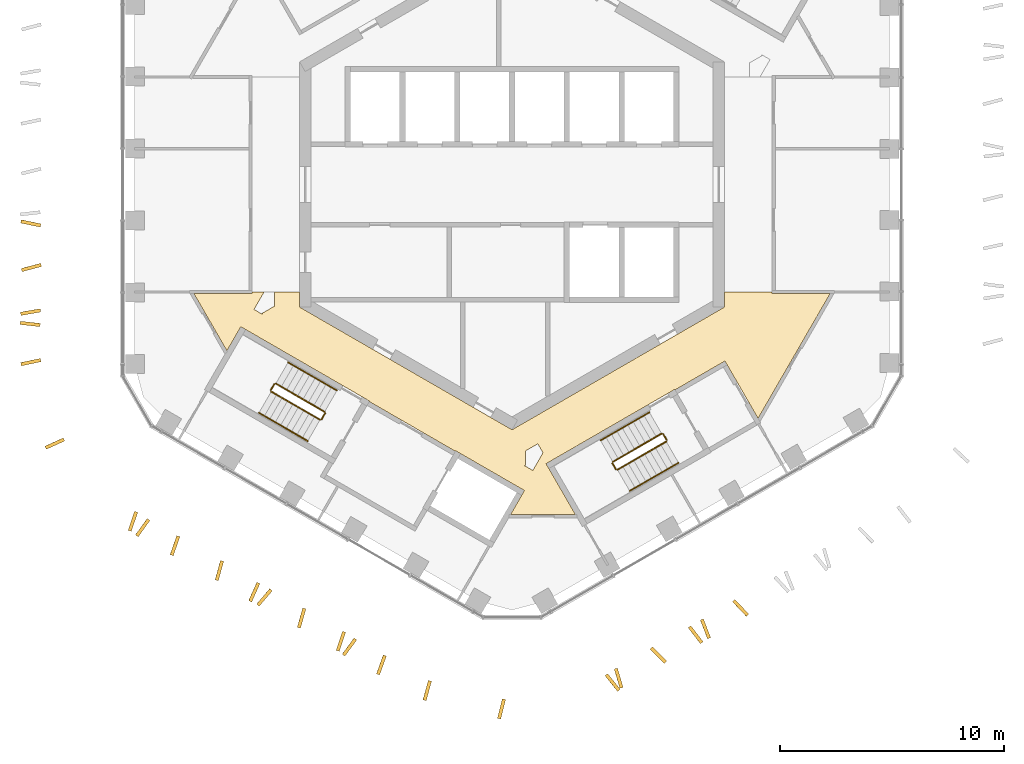
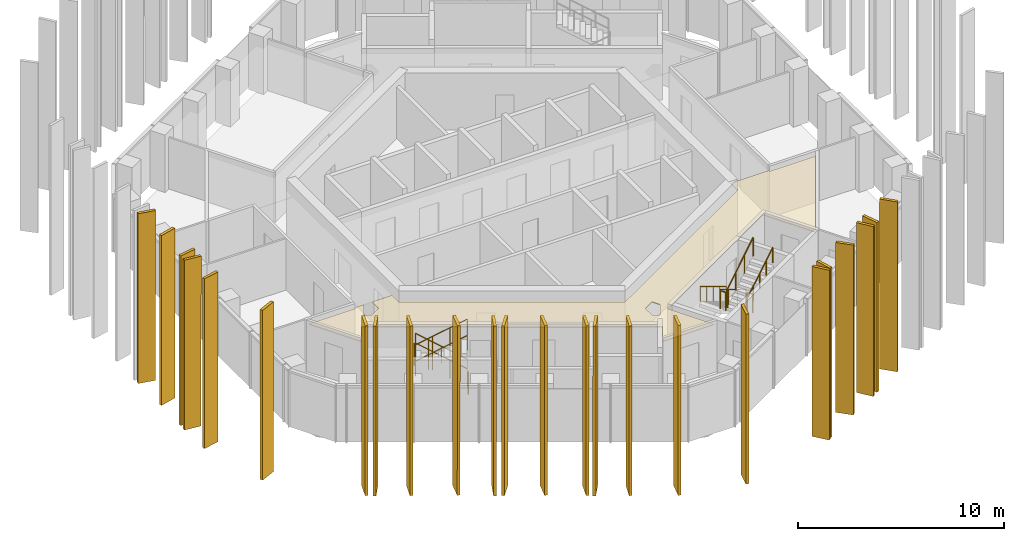
# One storey, part 16 of 18: 24 shading devices, 16 railings, 1 covering.
"""IFC4 building model written with IfcOpenShell, lengths in metres."""

from ifc_helpers import new_model, si_unit, direction, frame, origin, origin_2d, place, context, subcontext, project, spatial, polyline, circle, outline, extrude, material, layer, layer_set, type_object, element, save


model = new_model("IFC4")

# Units and contexts
model_context = context("Model", 3, precision=1e-05, world=origin(), true_north=direction((0.0, 1.0)))
body_context = subcontext(model_context, "Body", "Model", "MODEL_VIEW")
ifc_project = project(units=[si_unit("LENGTHUNIT", "METRE"), si_unit("AREAUNIT", "SQUARE_METRE"), si_unit("VOLUMEUNIT", "CUBIC_METRE"), si_unit("PLANEANGLEUNIT", "RADIAN"), si_unit("MASSUNIT", "GRAM", prefix="KILO")], contexts=[model_context])

# Site, building, storey
site_placement = place(None, origin())
site = spatial("IfcSite", under=ifc_project, at=site_placement, CompositionType="ELEMENT")
building_placement = place(site_placement, origin())
building = spatial("IfcBuilding", under=site, at=building_placement, Name="Ayvan Gate Tower", CompositionType="ELEMENT")
storey_placement = place(building_placement, frame((0.0, 0.0, 218.89990234375)))
storey = spatial("IfcBuildingStorey", under=building, at=storey_placement, Name="L58", CompositionType="ELEMENT", Elevation=218.89990234375)

# Shading devices
ifc_material_1 = material(Name="Bronze anodised aluminium", Category="aluminium")
ifc_layer_1 = layer(ifc_material_1, 0.14990234375)
ifc_layer_set_1 = layer_set([ifc_layer_1], Name="Bronze anodised aluminium")
shading_device_type = type_object("IfcShadingDeviceType", Name="Bronze fin 900 x 150", PredefinedType="USERDEFINED", material=ifc_layer_set_1)
shading_device_1_placement = place(storey_placement, frame((-21.06494140625, -1.7607421875, 0.0), z_axis=(0.205627653576, 0.9786302906, 0.000149685701), x_axis=(-0.978630301563, 0.205627655879, 4.174e-09)))
element("IfcShadingDevice", 1, at=shading_device_1_placement, inside=storey, type_object=shading_device_type, Name="Bronze fin FG22.3.26", ObjectType="FIN", PredefinedType="USERDEFINED", context=body_context, shape_type="SweptSolid", body=[
    extrude(outline(polyline([(0.0, 0.0), (0.900088840624111, 6.776263578034403e-21), (0.9000265937285844, 10.08007823416915), (0.00017667651794090947, 10.080078241682683), (0.0, 0.0)])), origin(), (0.0, 0.0, -1.0), 0.14990234375),
])
shading_device_2_placement = place(storey_placement, frame((-21.081787109375, -3.524658203125, 0.0), z_axis=(-0.255534650203, 0.966799886755, 0.000146685089), x_axis=(-0.966799897156, -0.255534652952, 0.0)))
element("IfcShadingDevice", 2, at=shading_device_2_placement, inside=storey, type_object=shading_device_type, Name="Bronze fin FG22.3.27", ObjectType="FIN", PredefinedType="USERDEFINED", context=body_context, shape_type="SweptSolid", body=[
    extrude(outline(polyline([(0.0, 0.0), (0.8999971866563695, 6.776263578034403e-21), (0.9001354698645131, 10.080078233444082), (0.00013828320814355377, 10.080078233444082), (0.0, 0.0)])), origin(), (0.0, 0.0, -1.0), 0.14990234375),
])
shading_device_3_placement = place(storey_placement, frame((-21.1025390625, -5.553955078125, 0.0), z_axis=(-0.174992422463, 0.984569769177, 0.000147316679), x_axis=(-0.984569779861, -0.174992424362, 0.0)))
element("IfcShadingDevice", 3, at=shading_device_3_placement, inside=storey, type_object=shading_device_type, Name="Bronze fin FG22.3.29", ObjectType="FIN", PredefinedType="USERDEFINED", context=body_context, shape_type="SweptSolid", body=[
    extrude(outline(polyline([(0.0, 0.0), (0.8998715441478867, -3.3881317890172014e-21), (0.8998875072255997, 10.08007823437996), (1.596307771291016e-05, 10.08007823437996), (0.0, 0.0)])), origin(), (0.0, 0.0, -1.0), 0.14990234375),
])
shading_device_4_placement = place(storey_placement, frame((-21.094970703125, -6.212646484375, 0.0), z_axis=(0.111220487315, 0.993795744584, 0.000145765954), x_axis=(-0.993795755142, 0.111220488497, -2.199e-09)))
element("IfcShadingDevice", 4, at=shading_device_4_placement, inside=storey, type_object=shading_device_type, Name="Bronze fin FG22.3.30", ObjectType="FIN", PredefinedType="USERDEFINED", context=body_context, shape_type="SweptSolid", body=[
    extrude(outline(polyline([(0.0, 0.0), (0.8998716434007181, 0.0), (0.8999513265116572, 10.080078234068507), (-0.0001629428058435697, 10.080078230109926), (0.0, 0.0)])), origin(), (0.0, 0.0, -1.0), 0.14990234375),
])
shading_device_5_placement = place(storey_placement, frame((-21.095703125, -7.77880859375, 0.0), z_axis=(-0.206174540544, 0.978515220713, 0.000147192062), x_axis=(-0.978515231313, -0.206174542777, 0.0)))
element("IfcShadingDevice", 5, at=shading_device_5_placement, inside=storey, type_object=shading_device_type, Name="Bronze fin FG22.3.31", ObjectType="FIN", PredefinedType="USERDEFINED", context=body_context, shape_type="SweptSolid", body=[
    extrude(outline(polyline([(0.0, 0.0), (0.8999504618786536, -3.3881317890172014e-21), (0.9000135800489053, 10.080078234194984), (6.311817025169371e-05, 10.080078234194984), (0.0, 0.0)])), origin(), (0.0, 0.0, -1.0), 0.14990234375),
])
shading_device_6_placement = place(storey_placement, frame((-20.068603515625, -11.332763671875, 0.0), z_axis=(-0.413700742682, 0.910412913076, 0.000152341575), x_axis=(-0.910412923641, -0.413700747483, 0.0)))
element("IfcShadingDevice", 6, at=shading_device_6_placement, inside=storey, type_object=shading_device_type, Name="Bronze fin FG22.4.32", ObjectType="FIN", PredefinedType="USERDEFINED", context=body_context, shape_type="SweptSolid", body=[
    extrude(outline(polyline([(0.0, 0.0), (0.8999607938598058, -6.776263578034403e-21), (0.9001222632537548, 10.080078241969005), (0.0001614693939489985, 10.080078241969005), (0.0, 0.0)])), origin(), (0.0, 0.0, -1.0), 0.14990234375),
])
shading_device_7_placement = place(storey_placement, frame((-16.883056640625, -14.614013671875, 0.0), z_axis=(-0.947879951133, 0.318627648141, 0.000141702069), x_axis=(-0.318627651338, -0.947879960651, 1.822e-08)))
element("IfcShadingDevice", 7, at=shading_device_7_placement, inside=storey, type_object=shading_device_type, Name="Bronze fin FG22.5.33", ObjectType="FIN", PredefinedType="USERDEFINED", context=body_context, shape_type="SweptSolid", body=[
    extrude(outline(polyline([(0.0, 0.0), (0.899892930953058, -6.776263578034403e-21), (0.8999669968545759, 10.080078209803935), (-3.7240524220633247e-06, 10.08007824259748), (0.0, 0.0)])), origin(), (0.0, 0.0, -1.0), 0.14990234375),
])
shading_device_8_placement = place(storey_placement, frame((-16.318115234375, -14.940185546875, 0.0), z_axis=(-0.812135863016, 0.583468350484, 0.000154876785), x_axis=(-0.583468357481, -0.812135872757, 0.0)))
element("IfcShadingDevice", 8, at=shading_device_8_placement, inside=storey, type_object=shading_device_type, Name="Bronze fin FG22.5.34", ObjectType="FIN", PredefinedType="USERDEFINED", context=body_context, shape_type="SweptSolid", body=[
    extrude(outline(polyline([(0.0, 0.0), (0.9000427831971298, 1.3552527156068805e-20), (0.9001236429880525, 10.080078245894505), (8.085979092264111e-05, 10.080078245894505), (0.0, 0.0)])), origin(), (0.0, 0.0, -1.0), 0.14990234375),
])
shading_device_9_placement = place(storey_placement, frame((-14.99658203125, -15.706298828125, 0.0), z_axis=(-0.943913320828, 0.330193305964, 0.000153164758), x_axis=(-0.330193309837, -0.9439133319, 0.0)))
element("IfcShadingDevice", 9, at=shading_device_9_placement, inside=storey, type_object=shading_device_type, Name="Bronze fin FG22.5.35", ObjectType="FIN", PredefinedType="USERDEFINED", context=body_context, shape_type="SweptSolid", body=[
    extrude(outline(polyline([(0.0, 0.0), (0.8998339208379718, -6.776263578034403e-21), (0.8998111344133572, 10.080078243236514), (-2.2786424614488815e-05, 10.080078243236514), (0.0, 0.0)])), origin(), (0.0, 0.0, -1.0), 0.14990234375),
])
shading_device_10_placement = place(storey_placement, frame((-13.041748046875, -16.814697265625, 0.0), z_axis=(-0.964239184739, 0.265033530311, 0.000149752601), x_axis=(-0.265033533283, -0.96423919555, -5.384e-09)))
element("IfcShadingDevice", 10, at=shading_device_10_placement, inside=storey, type_object=shading_device_type, Name="Bronze fin FG22.5.37", ObjectType="FIN", PredefinedType="USERDEFINED", context=body_context, shape_type="SweptSolid", body=[
    extrude(outline(polyline([(0.0, 0.0), (0.8998642243660473, 0.0), (0.8999467572994366, 10.08007824287247), (-0.00015287702646184147, 10.080078233181393), (0.0, 0.0)])), origin(), (0.0, 0.0, -1.0), 0.14990234375),
])
shading_device_11_placement = place(storey_placement, frame((-11.411865234375, -17.789794921875, 0.0), z_axis=(-0.9120128372, 0.410161632911, 0.00014024775), x_axis=(-0.410161636945, -0.91201284617, 0.0)))
element("IfcShadingDevice", 11, at=shading_device_11_placement, inside=storey, type_object=shading_device_type, Name="Bronze fin FG22.5.39", ObjectType="FIN", PredefinedType="USERDEFINED", context=body_context, shape_type="SweptSolid", body=[
    extrude(outline(polyline([(0.0, 0.0), (0.8999881796590448, 0.0), (0.9001554722258869, 10.080078224134704), (0.00016729256684201778, 10.080078224134704), (0.0, 0.0)])), origin(), (0.0, 0.0, -1.0), 0.14990234375),
])
shading_device_12_placement = place(storey_placement, frame((-10.8369140625, -18.0771484375, 0.0), z_axis=(-0.760766985099, 0.649025096378, 0.000136581291), x_axis=(-0.649025102432, -0.760766992195, 0.0)))
element("IfcShadingDevice", 12, at=shading_device_12_placement, inside=storey, type_object=shading_device_type, Name="Bronze fin FG22.5.40", ObjectType="FIN", PredefinedType="USERDEFINED", context=body_context, shape_type="SweptSolid", body=[
    extrude(outline(polyline([(0.0, 0.0), (0.900163203912648, -6.776263578034403e-21), (0.9002723268518693, 10.080078219019153), (0.00010912293922133698, 10.080078219019153), (0.0, 0.0)])), origin(), (0.0, 0.0, -1.0), 0.14990234375),
])
shading_device_13_placement = place(storey_placement, frame((-9.36279296875, -18.94091796875, 0.0), z_axis=(-0.962652034132, 0.270741645784, 0.000149729332), x_axis=(-0.27074164882, -0.962652044923, -5.499e-09)))
element("IfcShadingDevice", 13, at=shading_device_13_placement, inside=storey, type_object=shading_device_type, Name="Bronze fin FG22.5.41", ObjectType="FIN", PredefinedType="USERDEFINED", context=body_context, shape_type="SweptSolid", body=[
    extrude(outline(polyline([(0.0, 0.0), (0.8998265676046838, -6.776263578034403e-21), (0.8998999629022438, 10.080078242940884), (-0.00016162717434504696, 10.080078233042627), (0.0, 0.0)])), origin(), (0.0, 0.0, -1.0), 0.14990234375),
])
shading_device_14_placement = place(storey_placement, frame((-7.584228515625, -19.981689453125, 0.0), z_axis=(-0.949116399229, 0.314925447129, 0.000153181295), x_axis=(-0.314925450824, -0.949116410365, 0.0)))
element("IfcShadingDevice", 14, at=shading_device_14_placement, inside=storey, type_object=shading_device_type, Name="Bronze fin FG22.5.43", ObjectType="FIN", PredefinedType="USERDEFINED", context=body_context, shape_type="SweptSolid", body=[
    extrude(outline(polyline([(0.0, 0.0), (0.9000455977227162, 0.0), (0.900047716891609, 10.080078243262044), (2.119168892818755e-06, 10.080078243262044), (0.0, 0.0)])), origin(), (0.0, 0.0, -1.0), 0.14990234375),
])
shading_device_15_placement = place(storey_placement, frame((-7.06494140625, -20.2802734375, 0.0), z_axis=(-0.807232049124, 0.590234186456, 0.000154938408), x_axis=(-0.590234193541, -0.807232058813, 0.0)))
element("IfcShadingDevice", 15, at=shading_device_15_placement, inside=storey, type_object=shading_device_type, Name="Bronze fin FG22.5.44", ObjectType="FIN", PredefinedType="USERDEFINED", context=body_context, shape_type="SweptSolid", body=[
    extrude(outline(polyline([(0.0, 0.0), (0.9000664580497654, -2.710505431213761e-20), (0.9001342698826629, 10.080078245990729), (6.781183289759401e-05, 10.080078245990729), (0.0, 0.0)])), origin(), (0.0, 0.0, -1.0), 0.14990234375),
])
shading_device_16_placement = place(storey_placement, frame((-5.76025390625, -21.040771484375, 0.0), z_axis=(-0.941003190289, 0.338397659235, 0.000141743675), x_axis=(-0.338397662632, -0.941003199742, 1.8091e-08)))
element("IfcShadingDevice", 16, at=shading_device_16_placement, inside=storey, type_object=shading_device_type, Name="Bronze fin FG22.5.45", ObjectType="FIN", PredefinedType="USERDEFINED", context=body_context, shape_type="SweptSolid", body=[
    extrude(outline(polyline([(0.0, 0.0), (0.8999809534199351, 6.776263578034403e-21), (0.9000275269167434, 10.080078209978053), (-3.604312004507548e-05, 10.08007824254333), (0.0, 0.0)])), origin(), (0.0, 0.0, -1.0), 0.14990234375),
])
shading_device_17_placement = place(storey_placement, frame((-3.74658203125, -22.180908203125, 0.0), z_axis=(-0.964603983735, 0.263702734409, 0.000149757266), x_axis=(-0.263702737367, -0.964603994552, -5.358e-09)))
element("IfcShadingDevice", 17, at=shading_device_17_placement, inside=storey, type_object=shading_device_type, Name="Bronze fin FG22.5.47", ObjectType="FIN", PredefinedType="USERDEFINED", context=body_context, shape_type="SweptSolid", body=[
    extrude(outline(polyline([(0.0, 0.0), (0.8997769192754197, 0.0), (0.8998615800069909, 10.080078242855343), (-0.00015083829053614336, 10.080078233212626), (0.0, 0.0)])), origin(), (0.0, 0.0, -1.0), 0.14990234375),
])
shading_device_18_placement = place(storey_placement, frame((-0.43408203125, -22.99853515625, 0.0), z_axis=(-0.970555933372, 0.240875815773, 0.000146875882), x_axis=(-0.240875818371, -0.970555943841, 0.0)))
element("IfcShadingDevice", 18, at=shading_device_18_placement, inside=storey, type_object=shading_device_type, Name="Bronze fin FG22.6.48", ObjectType="FIN", PredefinedType="USERDEFINED", context=body_context, shape_type="SweptSolid", body=[
    extrude(outline(polyline([(0.0, 0.0), (0.9000358627379677, 0.0), (0.8999199694356278, 10.080078233726368), (-0.00011589330233977736, 10.080078233726368), (0.0, 0.0)])), origin(), (0.0, 0.0, -1.0), 0.14990234375),
])
shading_device_19_placement = place(storey_placement, frame((4.156982421875, -21.97119140625, 0.0), z_axis=(-0.778720771446, -0.627370652858, 0.000155083474), x_axis=(0.627370660402, -0.778720780811, 0.0)))
element("IfcShadingDevice", 19, at=shading_device_19_placement, inside=storey, type_object=shading_device_type, Name="Bronze fin FG22.7.49", ObjectType="FIN", PredefinedType="USERDEFINED", context=body_context, shape_type="SweptSolid", body=[
    extrude(outline(polyline([(0.0, 0.0), (0.9001014890668844, 0.0), (0.9001068528800604, 10.080078246217395), (5.363813176013812e-06, 10.080078246217395), (0.0, 0.0)])), origin(), (0.0, 0.0, -1.0), 0.14990234375),
])
shading_device_20_placement = place(storey_placement, frame((4.5703125, -21.671630859375, 0.0), z_axis=(-0.958986701358, -0.28345102614, 0.000149658418), x_axis=(0.283451029316, -0.958986712098, 5.754e-09)))
element("IfcShadingDevice", 20, at=shading_device_20_placement, inside=storey, type_object=shading_device_type, Name="Bronze fin FG22.7.50", ObjectType="FIN", PredefinedType="USERDEFINED", context=body_context, shape_type="SweptSolid", body=[
    extrude(outline(polyline([(0.0, 0.0), (0.8999571174072549, 0.0), (0.9001382592611651, 10.080078232705628), (-5.2985761348053444e-05, 10.080078243063623), (0.0, 0.0)])), origin(), (0.0, 0.0, -1.0), 0.14990234375),
])
shading_device_21_placement = place(storey_placement, frame((6.166748046875, -20.78173828125, 0.0), z_axis=(-0.707445767247, -0.706767617546, 0.000145576836), x_axis=(0.706767625034, -0.707445774744, -1.397e-08)))
element("IfcShadingDevice", 21, at=shading_device_21_placement, inside=storey, type_object=shading_device_type, Name="Bronze fin FG22.7.51", ObjectType="FIN", PredefinedType="USERDEFINED", context=body_context, shape_type="SweptSolid", body=[
    extrude(outline(polyline([(0.0, 0.0), (0.899938536071079, 0.0), (0.9001102836909811, 10.080078244385755), (-8.030698033736208e-07, 10.080078219239859), (0.0, 0.0)])), origin(), (0.0, 0.0, -1.0), 0.14990234375),
])
shading_device_22_placement = place(storey_placement, frame((7.877685546875, -19.82666015625, 0.0), z_axis=(-0.792765136809, -0.609527206983, 0.000147674165), x_axis=(0.609527213628, -0.792765145454, -1.2207e-08)))
element("IfcShadingDevice", 22, at=shading_device_22_placement, inside=storey, type_object=shading_device_type, Name="Bronze fin FG22.7.53", ObjectType="FIN", PredefinedType="USERDEFINED", context=body_context, shape_type="SweptSolid", body=[
    extrude(outline(polyline([(0.0, 0.0), (0.9001123459923092, -1.3552527156068805e-20), (0.9000820900063167, 10.080078245898807), (0.00016329019209682002, 10.080078223925726), (0.0, 0.0)])), origin(), (0.0, 0.0, -1.0), 0.14990234375),
])
shading_device_23_placement = place(storey_placement, frame((8.42041015625, -19.48291015625, 0.0), z_axis=(-0.933016610801, -0.3598332706, 0.000146075725), x_axis=(0.359833274437, -0.933016620756, -1.1358e-08)))
element("IfcShadingDevice", 23, at=shading_device_23_placement, inside=storey, type_object=shading_device_type, Name="Bronze fin FG22.7.54", ObjectType="FIN", PredefinedType="USERDEFINED", context=body_context, shape_type="SweptSolid", body=[
    extrude(outline(polyline([(0.0, 0.0), (0.899849384932908, 0.0), (0.8999207954419982, 10.080078242766483), (-0.00024422667235357023, 10.080078222321449), (0.0, 0.0)])), origin(), (0.0, 0.0, -1.0), 0.14990234375),
])
shading_device_24_placement = place(storey_placement, frame((9.856689453125, -18.66015625, 0.0), z_axis=(-0.725378596284, -0.68835010773, 0.000145747048), x_axis=(0.688350115039, -0.725378603989, -1.4341e-08)))
element("IfcShadingDevice", 24, at=shading_device_24_placement, inside=storey, type_object=shading_device_type, Name="Bronze fin FG22.7.55", ObjectType="FIN", PredefinedType="USERDEFINED", context=body_context, shape_type="SweptSolid", body=[
    extrude(outline(polyline([(0.0, 0.0), (0.8999039621391451, 0.0), (0.9000357111746551, 10.080078244968911), (-3.6305191794522835e-05, 10.080078219155517), (0.0, 0.0)])), origin(), (0.0, 0.0, -1.0), 0.14990234375),
])

# Covering
ifc_material_2 = material(Name="Plasterboard suspended ceiling")
ifc_layer_2 = layer(ifc_material_2, 0.050048828125)
ifc_layer_set_2 = layer_set([ifc_layer_2], Name="Plasterboard suspended ceiling")
covering_type = type_object("IfcCoveringType", Name="CT-SUSP-50", PredefinedType="CEILING", material=ifc_layer_set_2)
covering_placement = place(storey_placement, frame((0.0, 0.0, 2.7001953125)))
element("IfcCovering", 25, at=covering_placement, inside=storey, type_object=covering_type, Name="Ceiling Gallery L58", PredefinedType="CEILING", context=body_context, shape_type="SweptSolid", body=[
    extrude(outline(polyline([(-11.914794921875, -6.48681640625), (-12.131103515625, -6.36181640625), (-12.751220703125, -7.435791015625), (-14.2236328125, -4.8857421875), (-11.625, -4.8857421875), (-11.625, -4.810791015625), (-11.09130859375, -4.810791015625), (-11.540283203125, -5.58837890625), (-11.149658203125, -5.814208984375), (-11.1796875, -5.76171875), (-10.6201171875, -5.438720703125), (-10.6201171875, -4.810791015625), (-9.5, -4.810791015625), (-9.5, -5.48486328125), (-4.66748046875, -8.27490234375), (0.0, -10.9697265625), (4.66748046875, -8.27490234375), (8.38720703125, -6.127197265625), (9.5, -5.48486328125), (9.5, -4.810791015625), (11.625, -4.810791015625), (11.625, -4.8857421875), (14.2236328125, -4.8857421875), (11.0048828125, -10.4609375), (9.623779296875, -8.069091796875), (9.52392578125, -7.89599609375), (7.2939453125, -9.183349609375), (7.281494140625, -9.16162109375), (1.522216796875, -12.48681640625), (1.647216796875, -12.703369140625), (2.835205078125, -14.760986328125), (-0.06396484375, -14.760986328125), (0.43115234375, -13.9033203125), (0.55615234375, -13.686767578125), (-2.284423828125, -12.046630859375), (-2.518310546875, -11.91162109375), (-2.53076171875, -11.933349609375), (-6.384521484375, -9.70849609375), (-6.3720703125, -9.686767578125), (-11.91455078125, -6.48681640625), (-11.914794921875, -6.48681640625)]), holes=[polyline([(0.53955078125, -12.56298828125), (0.930419921875, -12.78857421875), (1.385498046875, -12.0), (1.153076171875, -11.59716796875), (0.60009765625, -11.91650390625), (0.60009765625, -12.56298828125), (0.53955078125, -12.56298828125)])]), origin(), (0.0, 0.0, 1.0), 0.0498046875),
])

# Railings
ifc_material_3 = material(Name="Stainless steel balustrade", Category="steel")
railing_type_1 = type_object("IfcRailingType", Name="RL-GUARD-1100", PredefinedType="GUARDRAIL", material=ifc_material_3)
railing_1_placement = place(storey_placement, frame((-8.381103515625, -10.16650390625, 0.170166015625)))
element("IfcRailing", 26, at=railing_1_placement, inside=storey, type_object=railing_type_1, Name="L58 STS2 stair guard 1", PredefinedType="GUARDRAIL", context=body_context, shape_type="SweptSolid", body=[
    extrude(circle(Radius=0.02392578125, at=origin_2d()), frame((0.0, 0.0, 1.076171875), z_axis=(-0.740261155115, 0.427395438142, 0.518986090067), x_axis=(-0.500004791531, -0.866022637375, 0.0)), (0.0, 0.0, 1.0), 2.947998046875),
    extrude(circle(Radius=0.02099609375, at=origin_2d()), origin(), (0.0, 0.0, 1.0), 1.052001953125),
    extrude(circle(Radius=0.02099609375, at=origin_2d()), frame((-0.7275390625, 0.419921875, 0.510009765625)), (0.0, 0.0, 1.0), 1.052001953125),
    extrude(circle(Radius=0.02099609375, at=origin_2d()), frame((-1.454833984375, 0.840087890625, 1.02001953125)), (0.0, 0.0, 1.0), 1.052001953125),
    extrude(circle(Radius=0.02099609375, at=origin_2d()), frame((-2.182373046875, 1.260009765625, 1.530029296875)), (0.0, 0.0, 1.0), 1.052001953125),
])
railing_2_placement = place(storey_placement, frame((-10.6318359375, -8.9248046875, 1.7001953125)))
element("IfcRailing", 27, at=railing_2_placement, inside=storey, type_object=railing_type_1, Name="L58 STS2 stair guard 2", PredefinedType="GUARDRAIL", context=body_context, shape_type="SweptSolid", body=[
    extrude(circle(Radius=0.02392578125, at=origin_2d()), frame((0.0, 0.0, 1.076171875), z_axis=(-0.499949632511, -0.866054481515, 0.0), x_axis=(0.866054481515, -0.499949632511, 0.0)), (0.0, 0.0, 1.0), 0.31005859375),
    extrude(circle(Radius=0.02099609375, at=origin_2d()), origin(), (0.0, 0.0, 1.0), 1.052001953125),
    extrude(circle(Radius=0.02099609375, at=origin_2d()), frame((-0.155029296875, -0.2685546875, 0.0)), (0.0, 0.0, 1.0), 1.052001953125),
])
railing_3_placement = place(storey_placement, frame((-10.7685546875, -9.261474609375, 1.8701171875)))
element("IfcRailing", 28, at=railing_3_placement, inside=storey, type_object=railing_type_1, Name="L58 STS2 stair guard 3", PredefinedType="GUARDRAIL", context=body_context, shape_type="SweptSolid", body=[
    extrude(circle(Radius=0.02392578125, at=origin_2d()), frame((0.0, 0.0, 1.076171875), z_axis=(0.740261155115, -0.427395438142, 0.518986090067), x_axis=(0.500004791531, 0.866022637375, 0.0)), (0.0, 0.0, 1.0), 2.947998046875),
    extrude(circle(Radius=0.02099609375, at=origin_2d()), origin(), (0.0, 0.0, 1.0), 1.052001953125),
    extrude(circle(Radius=0.02099609375, at=origin_2d()), frame((0.7275390625, -0.419921875, 0.510009765625)), (0.0, 0.0, 1.0), 1.052001953125),
    extrude(circle(Radius=0.02099609375, at=origin_2d()), frame((1.454833984375, -0.840087890625, 1.02001953125)), (0.0, 0.0, 1.0), 1.052001953125),
    extrude(circle(Radius=0.02099609375, at=origin_2d()), frame((2.182373046875, -1.260009765625, 1.530029296875)), (0.0, 0.0, 1.0), 1.052001953125),
])
railing_4_placement = place(storey_placement, frame((-8.36279296875, -10.23486328125, 0.0)))
element("IfcRailing", 29, at=railing_4_placement, inside=storey, type_object=railing_type_1, Name="L58 STS2 stair guard 4", PredefinedType="GUARDRAIL", context=body_context, shape_type="SweptSolid", body=[
    extrude(circle(Radius=0.02392578125, at=origin_2d()), frame((0.0, 0.0, 1.076171875), z_axis=(-0.500290723946, -0.86585748916, 0.0), x_axis=(0.86585748916, -0.500290723946, 0.0)), (0.0, 0.0, 1.0), 0.309814453125),
    extrude(circle(Radius=0.02099609375, at=origin_2d()), origin(), (0.0, 0.0, 1.0), 1.052001953125),
    extrude(circle(Radius=0.02099609375, at=origin_2d()), frame((-0.155029296875, -0.268310546875, 0.0)), (0.0, 0.0, 1.0), 1.052001953125),
])
railing_5_placement = place(storey_placement, frame((6.6923828125, -11.1416015625, 0.170166015625)))
element("IfcRailing", 30, at=railing_5_placement, inside=storey, type_object=railing_type_1, Name="L58 STS3 stair guard 1", PredefinedType="GUARDRAIL", context=body_context, shape_type="SweptSolid", body=[
    extrude(circle(Radius=0.02392578125, at=origin_2d()), frame((0.0, 0.0, 1.076171875), z_axis=(-0.740261155115, -0.427395438142, 0.518986090067), x_axis=(0.500004791531, -0.866022637375, 0.0)), (0.0, 0.0, 1.0), 2.947998046875),
    extrude(circle(Radius=0.02099609375, at=origin_2d()), origin(), (0.0, 0.0, 1.0), 1.052001953125),
    extrude(circle(Radius=0.02099609375, at=origin_2d()), frame((-0.7275390625, -0.419921875, 0.510009765625)), (0.0, 0.0, 1.0), 1.052001953125),
    extrude(circle(Radius=0.02099609375, at=origin_2d()), frame((-1.454833984375, -0.840087890625, 1.02001953125)), (0.0, 0.0, 1.0), 1.052001953125),
    extrude(circle(Radius=0.02099609375, at=origin_2d()), frame((-2.182373046875, -1.260009765625, 1.530029296875)), (0.0, 0.0, 1.0), 1.052001953125),
])
railing_6_placement = place(storey_placement, frame((4.49169921875, -12.4697265625, 1.7001953125)))
element("IfcRailing", 31, at=railing_6_placement, inside=storey, type_object=railing_type_1, Name="L58 STS3 stair guard 2", PredefinedType="GUARDRAIL", context=body_context, shape_type="SweptSolid", body=[
    extrude(circle(Radius=0.02392578125, at=origin_2d()), frame((0.0, 0.0, 1.076171875), z_axis=(0.499949632511, -0.866054481515, 0.0), x_axis=(0.866054481515, 0.499949632511, 0.0)), (0.0, 0.0, 1.0), 0.31005859375),
    extrude(circle(Radius=0.02099609375, at=origin_2d()), origin(), (0.0, 0.0, 1.0), 1.052001953125),
    extrude(circle(Radius=0.02099609375, at=origin_2d()), frame((0.155029296875, -0.2685546875, 0.0)), (0.0, 0.0, 1.0), 1.052001953125),
])
railing_7_placement = place(storey_placement, frame((4.715087890625, -12.756591796875, 1.8701171875)))
element("IfcRailing", 32, at=railing_7_placement, inside=storey, type_object=railing_type_1, Name="L58 STS3 stair guard 3", PredefinedType="GUARDRAIL", context=body_context, shape_type="SweptSolid", body=[
    extrude(circle(Radius=0.02392578125, at=origin_2d()), frame((0.0, 0.0, 1.076171875), z_axis=(0.740261155115, 0.427395438142, 0.518986090067), x_axis=(-0.500004791531, 0.866022637375, 0.0)), (0.0, 0.0, 1.0), 2.947998046875),
    extrude(circle(Radius=0.02099609375, at=origin_2d()), origin(), (0.0, 0.0, 1.0), 1.052001953125),
    extrude(circle(Radius=0.02099609375, at=origin_2d()), frame((0.7275390625, 0.419921875, 0.510009765625)), (0.0, 0.0, 1.0), 1.052001953125),
    extrude(circle(Radius=0.02099609375, at=origin_2d()), frame((1.454833984375, 0.840087890625, 1.02001953125)), (0.0, 0.0, 1.0), 1.052001953125),
    extrude(circle(Radius=0.02099609375, at=origin_2d()), frame((2.182373046875, 1.260009765625, 1.530029296875)), (0.0, 0.0, 1.0), 1.052001953125),
])
railing_8_placement = place(storey_placement, frame((6.7607421875, -11.159912109375, 0.0)))
element("IfcRailing", 33, at=railing_8_placement, inside=storey, type_object=railing_type_1, Name="L58 STS3 stair guard 4", PredefinedType="GUARDRAIL", context=body_context, shape_type="SweptSolid", body=[
    extrude(circle(Radius=0.02392578125, at=origin_2d()), frame((0.0, 0.0, 1.076171875), z_axis=(0.500290723946, -0.86585748916, 0.0), x_axis=(0.86585748916, 0.500290723946, 0.0)), (0.0, 0.0, 1.0), 0.309814453125),
    extrude(circle(Radius=0.02099609375, at=origin_2d()), origin(), (0.0, 0.0, 1.0), 1.052001953125),
    extrude(circle(Radius=0.02099609375, at=origin_2d()), frame((0.155029296875, -0.268310546875, 0.0)), (0.0, 0.0, 1.0), 1.052001953125),
])
railing_type_2 = type_object("IfcRailingType", Name="RL-HANDRAIL-900", PredefinedType="HANDRAIL", material=ifc_material_3)
railing_9_placement = place(storey_placement, frame((-7.8310546875, -9.2138671875, 0.170166015625)))
element("IfcRailing", 34, at=railing_9_placement, inside=storey, type_object=railing_type_2, Name="L58 STS2 stair handrail 1", PredefinedType="HANDRAIL", context=body_context, shape_type="SweptSolid", body=[
    extrude(circle(Radius=0.02392578125, at=origin_2d()), frame((0.0, 0.0, 0.8759765625), z_axis=(-0.740356597536, 0.427319915356, 0.518912129772), x_axis=(-0.499890179513, -0.866088799389, 0.0)), (0.0, 0.0, 1.0), 1.47412109375),
    extrude(circle(Radius=0.02099609375, at=origin_2d()), origin(), (0.0, 0.0, 1.0), 0.851806640625),
    extrude(circle(Radius=0.02099609375, at=origin_2d()), frame((-0.545654296875, 0.31494140625, 0.38232421875)), (0.0, 0.0, 1.0), 0.851806640625),
    extrude(circle(Radius=0.02099609375, at=origin_2d()), frame((-1.09130859375, 0.6298828125, 0.764892578125)), (0.0, 0.0, 1.0), 0.851806640625),
])
railing_10_placement = place(storey_placement, frame((-8.92236328125, -8.583984375, 0.93505859375)))
element("IfcRailing", 35, at=railing_10_placement, inside=storey, type_object=railing_type_2, Name="L58 STS2 stair handrail 2", PredefinedType="HANDRAIL", context=body_context, shape_type="SweptSolid", body=[
    extrude(circle(Radius=0.02392578125, at=origin_2d()), frame((0.0, 0.0, 0.8759765625), z_axis=(-0.740165700939, 0.427470949681, 0.519060037311), x_axis=(-0.50011940292, -0.865956455501, 0.0)), (0.0, 0.0, 1.0), 1.47412109375),
    extrude(circle(Radius=0.02099609375, at=origin_2d()), origin(), (0.0, 0.0, 1.0), 0.851806640625),
    extrude(circle(Radius=0.02099609375, at=origin_2d()), frame((-0.54541015625, 0.31494140625, 0.382568359375)), (0.0, 0.0, 1.0), 0.851806640625),
    extrude(circle(Radius=0.02099609375, at=origin_2d()), frame((-1.091064453125, 0.630126953125, 0.76513671875)), (0.0, 0.0, 1.0), 0.851806640625),
])
railing_11_placement = place(storey_placement, frame((-11.318603515625, -10.214111328125, 1.8701171875)))
element("IfcRailing", 36, at=railing_11_placement, inside=storey, type_object=railing_type_2, Name="L58 STS2 stair handrail 3", PredefinedType="HANDRAIL", context=body_context, shape_type="SweptSolid", body=[
    extrude(circle(Radius=0.02392578125, at=origin_2d()), frame((0.0, 0.0, 0.8759765625), z_axis=(0.740304193401, -0.427455284825, 0.518875399983), x_axis=(0.500035496587, 0.86600490885, 0.0)), (0.0, 0.0, 1.0), 1.47412109375),
    extrude(circle(Radius=0.02099609375, at=origin_2d()), origin(), (0.0, 0.0, 1.0), 0.851806640625),
    extrude(circle(Radius=0.02099609375, at=origin_2d()), frame((0.545654296875, -0.31494140625, 0.38232421875)), (0.0, 0.0, 1.0), 0.851806640625),
    extrude(circle(Radius=0.02099609375, at=origin_2d()), frame((1.09130859375, -0.630126953125, 0.764892578125)), (0.0, 0.0, 1.0), 0.851806640625),
])
railing_12_placement = place(storey_placement, frame((-10.227294921875, -10.84423828125, 2.635009765625)))
element("IfcRailing", 37, at=railing_12_placement, inside=storey, type_object=railing_type_2, Name="L58 STS2 stair handrail 4", PredefinedType="HANDRAIL", context=body_context, shape_type="SweptSolid", body=[
    extrude(circle(Radius=0.02392578125, at=origin_2d()), frame((0.0, 0.0, 0.8759765625), z_axis=(0.740292964666, -0.42728318766, 0.519033143459), x_axis=(0.499890179513, 0.866088799389, 0.0)), (0.0, 0.0, 1.0), 1.47412109375),
    extrude(circle(Radius=0.02099609375, at=origin_2d()), origin(), (0.0, 0.0, 1.0), 0.851806640625),
    extrude(circle(Radius=0.02099609375, at=origin_2d()), frame((0.545654296875, -0.31494140625, 0.382568359375)), (0.0, 0.0, 1.0), 0.851806640625),
    extrude(circle(Radius=0.02099609375, at=origin_2d()), frame((1.09130859375, -0.6298828125, 0.76513671875)), (0.0, 0.0, 1.0), 0.851806640625),
])
railing_13_placement = place(storey_placement, frame((6.142333984375, -10.18896484375, 0.170166015625)))
element("IfcRailing", 38, at=railing_13_placement, inside=storey, type_object=railing_type_2, Name="L58 STS3 stair handrail 1", PredefinedType="HANDRAIL", context=body_context, shape_type="SweptSolid", body=[
    extrude(circle(Radius=0.02392578125, at=origin_2d()), frame((0.0, 0.0, 0.8759765625), z_axis=(-0.740281741151, -0.427372318678, 0.518975765278), x_axis=(0.499974077718, -0.866040369504, 0.0)), (0.0, 0.0, 1.0), 1.473876953125),
    extrude(circle(Radius=0.02099609375, at=origin_2d()), origin(), (0.0, 0.0, 1.0), 0.851806640625),
    extrude(circle(Radius=0.02099609375, at=origin_2d()), frame((-0.54541015625, -0.31494140625, 0.38232421875)), (0.0, 0.0, 1.0), 0.851806640625),
    extrude(circle(Radius=0.02099609375, at=origin_2d()), frame((-1.091064453125, -0.6298828125, 0.764892578125)), (0.0, 0.0, 1.0), 0.851806640625),
])
railing_14_placement = place(storey_placement, frame((5.05126953125, -10.81884765625, 0.93505859375)))
element("IfcRailing", 39, at=railing_14_placement, inside=storey, type_object=railing_type_2, Name="L58 STS3 stair handrail 2", PredefinedType="HANDRAIL", context=body_context, shape_type="SweptSolid", body=[
    extrude(circle(Radius=0.02392578125, at=origin_2d()), frame((0.0, 0.0, 0.8759765625), z_axis=(-0.740240574041, -0.427418550694, 0.518996411419), x_axis=(0.500035496587, -0.86600490885, 0.0)), (0.0, 0.0, 1.0), 1.474365234375),
    extrude(circle(Radius=0.02099609375, at=origin_2d()), origin(), (0.0, 0.0, 1.0), 0.851806640625),
    extrude(circle(Radius=0.02099609375, at=origin_2d()), frame((-0.545654296875, -0.31494140625, 0.382568359375)), (0.0, 0.0, 1.0), 0.851806640625),
    extrude(circle(Radius=0.02099609375, at=origin_2d()), frame((-1.09130859375, -0.630126953125, 0.76513671875)), (0.0, 0.0, 1.0), 0.851806640625),
])
railing_15_placement = place(storey_placement, frame((5.264892578125, -13.709228515625, 1.8701171875)))
element("IfcRailing", 40, at=railing_15_placement, inside=storey, type_object=railing_type_2, Name="L58 STS3 stair handrail 3", PredefinedType="HANDRAIL", context=body_context, shape_type="SweptSolid", body=[
    extrude(circle(Radius=0.02392578125, at=origin_2d()), frame((0.0, 0.0, 0.8759765625), z_axis=(0.740304193401, 0.427455284825, 0.518875399983), x_axis=(-0.500035496587, 0.86600490885, 0.0)), (0.0, 0.0, 1.0), 1.47412109375),
    extrude(circle(Radius=0.02099609375, at=origin_2d()), origin(), (0.0, 0.0, 1.0), 0.851806640625),
    extrude(circle(Radius=0.02099609375, at=origin_2d()), frame((0.545654296875, 0.31494140625, 0.38232421875)), (0.0, 0.0, 1.0), 0.851806640625),
    extrude(circle(Radius=0.02099609375, at=origin_2d()), frame((1.09130859375, 0.630126953125, 0.764892578125)), (0.0, 0.0, 1.0), 0.851806640625),
])
railing_16_placement = place(storey_placement, frame((6.356201171875, -13.0791015625, 2.635009765625)))
element("IfcRailing", 41, at=railing_16_placement, inside=storey, type_object=railing_type_2, Name="L58 STS3 stair handrail 4", PredefinedType="HANDRAIL", context=body_context, shape_type="SweptSolid", body=[
    extrude(circle(Radius=0.02392578125, at=origin_2d()), frame((0.0, 0.0, 0.8759765625), z_axis=(0.740218099111, 0.427335577468, 0.519096782863), x_axis=(-0.499974077718, 0.866040369504, 0.0)), (0.0, 0.0, 1.0), 1.473876953125),
    extrude(circle(Radius=0.02099609375, at=origin_2d()), origin(), (0.0, 0.0, 1.0), 0.851806640625),
    extrude(circle(Radius=0.02099609375, at=origin_2d()), frame((0.54541015625, 0.31494140625, 0.382568359375)), (0.0, 0.0, 1.0), 0.851806640625),
    extrude(circle(Radius=0.02099609375, at=origin_2d()), frame((1.091064453125, 0.6298828125, 0.76513671875)), (0.0, 0.0, 1.0), 0.851806640625),
])

save(model, "model.ifc")
